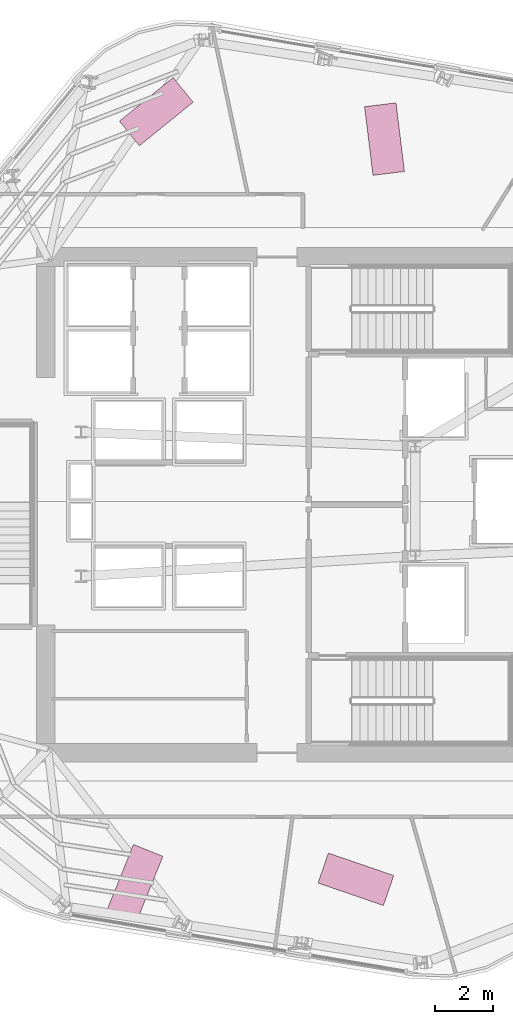
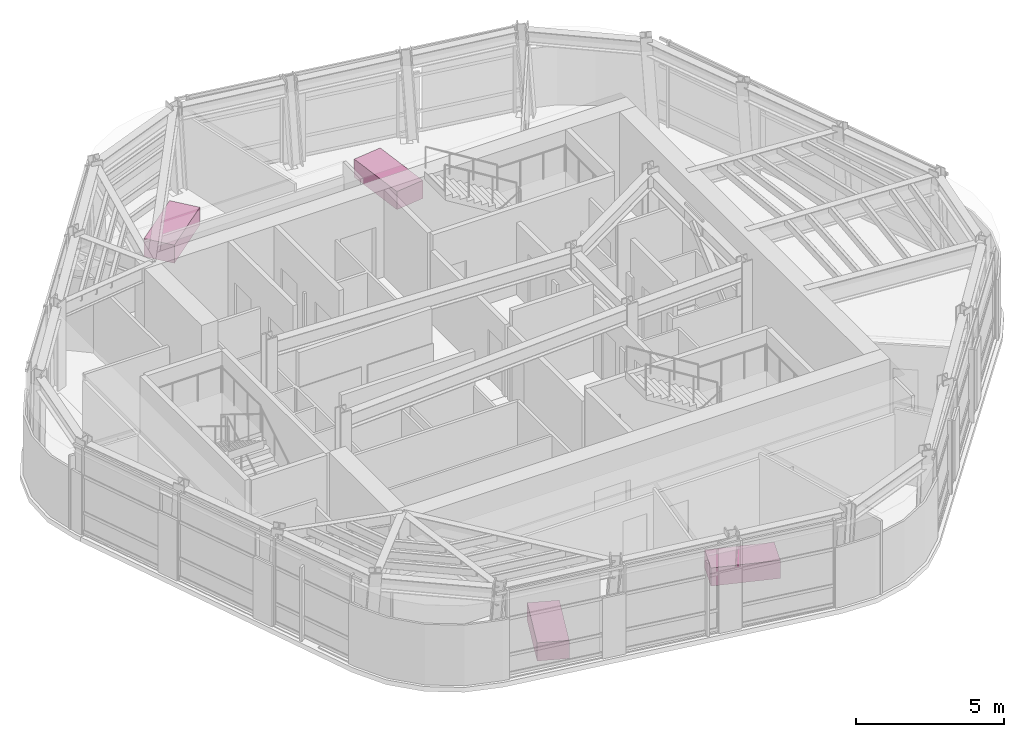
# One storey, part 12 of 12: 4 furniture elements.
"""IFC4 building model written with IfcOpenShell, lengths in metres."""

from ifc_helpers import new_model, si_unit, direction, frame, origin, origin_2d, place, context, subcontext, project, spatial, rectangle, extrude, material, type_object, element, save


model = new_model("IFC4")

# Units and contexts
model_context = context("Model", 3, precision=1e-05, world=origin(), true_north=direction((0.0, 1.0)))
body_context = subcontext(model_context, "Body", "Model", "MODEL_VIEW")
ifc_project = project(units=[si_unit("LENGTHUNIT", "METRE"), si_unit("AREAUNIT", "SQUARE_METRE"), si_unit("VOLUMEUNIT", "CUBIC_METRE"), si_unit("PLANEANGLEUNIT", "RADIAN"), si_unit("MASSUNIT", "GRAM", prefix="KILO")], contexts=[model_context])

# Site, building, storey
site_placement = place(None, origin())
site = spatial("IfcSite", under=ifc_project, at=site_placement, CompositionType="ELEMENT")
building_placement = place(site_placement, origin())
building = spatial("IfcBuilding", under=site, at=building_placement, Name="Valkerne Bourse Tower", CompositionType="ELEMENT")
storey_placement = place(building_placement, frame((0.0, 0.0, 239.800048828125)))
storey = spatial("IfcBuildingStorey", under=building, at=storey_placement, Name="L61", CompositionType="ELEMENT", Elevation=239.800048828125)

# Furniture
ifc_material = material(Name="Architectural White Oak Timber", Category="wood")
furniture_type = type_object("IfcFurnitureType", Name="FURN-DESK-2400", AssemblyPlace="NOTDEFINED", PredefinedType="DESK", material=ifc_material)
for number, where, z_axis, x_axis, name in (
    (1, (48.2880859375, 13.885986328125, 0.044921875), (0.0, 0.0, 1.0), (-0.945518575599, 0.325568154457, 0.0), "L61 Suite Worktable 06"),
    (2, (41.363037109375, 40.514892578125, 0.044921875), (0.0, 0.0, 1.0), (0.777145961457, 0.62932039105, 0.0), "L61 Suite Worktable 08"),
    (3, (40.632080078125, 13.77587890625, 0.044921875), (0.0, 0.0, 1.0), (0.374606593416, 0.927183854567, 0.0), "L61 Suite Worktable 09"),
    (4, (49.280029296875, 39.56396484375, 0.044921875), (0.0, 0.0, 1.0), (-0.121869343405, 0.992546151641, 0.0), "L61 Suite Worktable 10"),
):
    element("IfcFurniture", number, at=place(storey_placement, frame(where, z_axis=z_axis, x_axis=x_axis)), inside=storey, type_object=furniture_type, Name=name, PredefinedType="DESK", context=body_context, shape_type="SweptSolid", body=[
        extrude(rectangle(XDim=2.39990234375, YDim=1.10009765625, at=origin_2d()), origin(), (0.0, 0.0, 1.0), 0.75),
    ])

save(model, "model.ifc")
